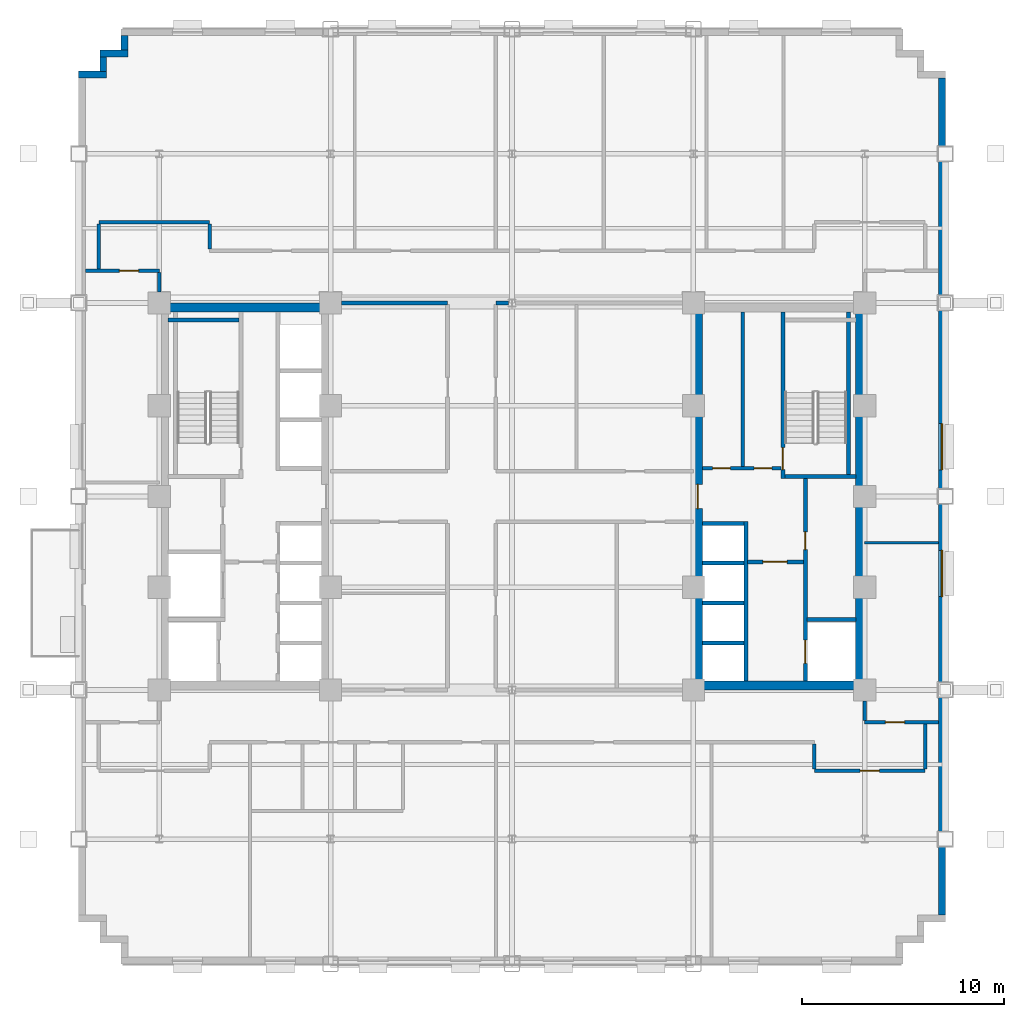
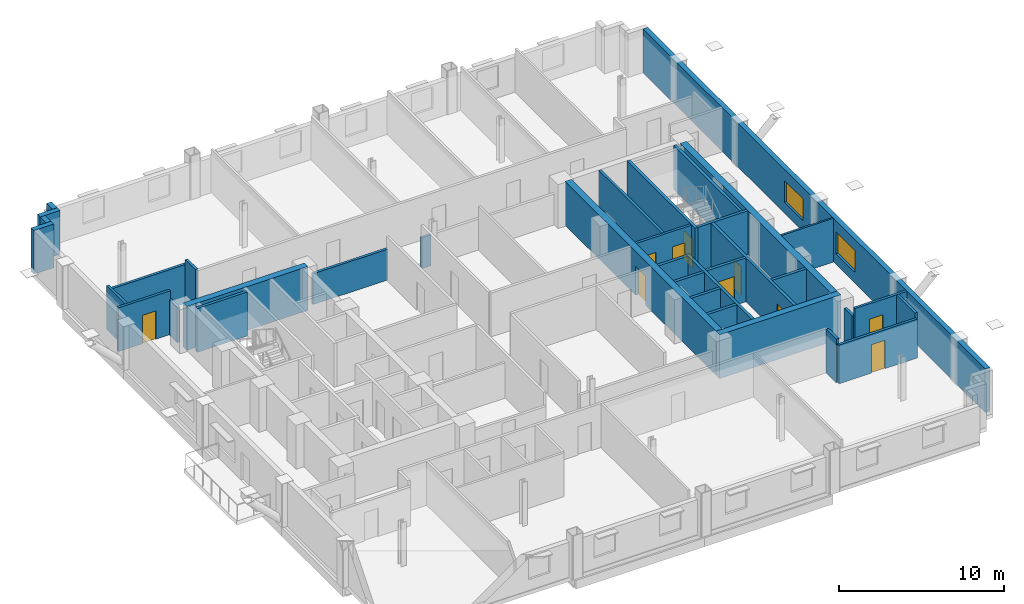
# One storey, part 8 of 13: 36 walls, 10 doors, 2 windows, 12 openings.
"""IFC4 building model written with IfcOpenShell, lengths in metres."""

from ifc_helpers import new_model, si_unit, direction, frame, frame_2d, origin, place, context, subcontext, project, spatial, rectangle, extrude, source, transform, mapped, material, layer, layer_set, type_object, type_shapes, element, fill, save


model = new_model("IFC4")

# Units and contexts
model_context = context("Model", 3, precision=1e-05, world=origin(), true_north=direction((0.0, 1.0)))
body_context = subcontext(model_context, "Body", "Model", "MODEL_VIEW")
ifc_project = project(units=[si_unit("LENGTHUNIT", "METRE"), si_unit("AREAUNIT", "SQUARE_METRE"), si_unit("VOLUMEUNIT", "CUBIC_METRE"), si_unit("PLANEANGLEUNIT", "RADIAN"), si_unit("MASSUNIT", "GRAM", prefix="KILO")], contexts=[model_context])

# Site, building, storey
site_placement = place(None, origin())
site = spatial("IfcSite", under=ifc_project, at=site_placement, CompositionType="ELEMENT")
building_placement = place(site_placement, origin())
building = spatial("IfcBuilding", under=site, at=building_placement, Name="Nuvemarco Arch Tower", CompositionType="ELEMENT")
storey_placement = place(building_placement, frame((0.0, 0.0, 82.35009765625)))
storey = spatial("IfcBuildingStorey", under=building, at=storey_placement, Name="L21", CompositionType="ELEMENT", Elevation=82.35009765625)

# Wall, openings, windows
ifc_material_1 = material(Name="Precast concrete C45/55", Category="concrete")
ifc_layer_1 = layer(ifc_material_1, 0.340087890625, Name="EW-LOW-340")
ifc_layer_set_1 = layer_set([ifc_layer_1], Name="Precast concrete C45/55")
wall_type_1 = type_object("IfcWallType", Name="EW-LOW-340", PredefinedType="STANDARD", material=ifc_layer_set_1)
wall_1_placement = place(storey_placement, frame((21.330078125, -20.763916015625, 0.0), z_axis=(0.0, 0.0, 1.0), x_axis=(0.0, 1.0, 0.0)))
wall_1 = element("IfcWall", 1, at=wall_1_placement, inside=storey, type_object=wall_type_1, Name="L21 exterior precast facade wall 6", PredefinedType="STANDARD", context=body_context, shape_type="SweptSolid", body=[
    extrude(rectangle(XDim=41.52783203125, YDim=0.340087890625, at=frame_2d((20.763916015625, 0.0))), origin(), (0.0, 0.0, 1.0), 3.239990234375),
])
opening_1_placement = place(wall_1_placement, frame((15.79345703125, 0.0, 0.800048828125)))
opening_1 = element("IfcOpeningElement", 2, at=opening_1_placement, cuts=wall_1, Name="Opening WN-10", PredefinedType="OPENING", context=body_context, shape_type="SweptSolid", body=[
    extrude(rectangle(XDim=2.300048828125, YDim=1.6201171875, at=frame_2d((1.14990234375, 0.81005859375))), frame((0.0, 0.179931640625, 0.0), z_axis=(0.0, -1.0, 0.0), x_axis=(1.0, 0.0, 0.0)), (0.0, 0.0, 1.0), 0.360107421875),
])
opening_2_placement = place(wall_1_placement, frame((22.08447265625, 0.0, 0.800048828125)))
opening_2 = element("IfcOpeningElement", 3, at=opening_2_placement, cuts=wall_1, Name="Opening WN-10", PredefinedType="OPENING", context=body_context, shape_type="SweptSolid", body=[
    extrude(rectangle(XDim=2.300048828125, YDim=1.6201171875, at=frame_2d((1.14990234375, 0.81005859375))), frame((0.0, 0.179931640625, 0.0), z_axis=(0.0, -1.0, 0.0), x_axis=(1.0, 0.0, 0.0)), (0.0, 0.0, 1.0), 0.360107421875),
])
ifc_material_2 = material(Name="Insulated solar-control glass", Category="glass")
window_type = type_object("IfcWindowType", Name="WN-STEP-2300x1700", PartitioningType="DOUBLE_PANEL_VERTICAL", PredefinedType="WINDOW", material=ifc_material_2)
shared_shape_1 = source(origin(), body_context, "Body", "SweptSolid", [
    extrude(rectangle(XDim=2.300048828125, YDim=1.6201171875, at=frame_2d((1.14990234375, 0.81005859375))), frame((0.0, 0.030029296875, 0.0), z_axis=(0.0, -1.0, 0.0), x_axis=(1.0, 0.0, 0.0)), (0.0, 0.0, 1.0), 0.06005859375),
])
type_shapes(window_type, [shared_shape_1])
window_1_placement = place(opening_1_placement, origin())
window_1 = element("IfcWindow", 4, at=window_1_placement, inside=storey, type_object=window_type, Name="L21 punched facade window 4", OverallHeight=1.6201171875, OverallWidth=2.300048828125, PartitioningType="SINGLE_PANEL", PredefinedType="WINDOW", context=body_context, shape_type="MappedRepresentation", body=[
    mapped(shared_shape_1, transform((0.0, 0.0, 0.0), scale=1.0)),
])
fill(opening_1, window_1)
window_2_placement = place(opening_2_placement, origin())
window_2 = element("IfcWindow", 5, at=window_2_placement, inside=storey, type_object=window_type, Name="L21 punched facade window 5", OverallHeight=1.6201171875, OverallWidth=2.300048828125, PartitioningType="SINGLE_PANEL", PredefinedType="WINDOW", context=body_context, shape_type="MappedRepresentation", body=[
    mapped(shared_shape_1, transform((0.0, 0.0, 0.0), scale=1.0)),
])
fill(opening_2, window_2)

# Walls
wall_2_placement = place(storey_placement, frame((-19.22998046875, 22.14599609375, 0.0), z_axis=(0.0, 0.0, 1.0), x_axis=(0.0, 1.0, 0.0)))
element("IfcWall", 6, at=wall_2_placement, inside=storey, type_object=wall_type_1, Name="L21 exterior precast facade wall 12", PredefinedType="STANDARD", context=body_context, shape_type="SweptSolid", body=[
    extrude(rectangle(XDim=0.718017578125, YDim=0.340087890625, at=frame_2d((0.35888671875, 0.0))), origin(), (0.0, 0.0, 1.0), 3.239990234375),
])
wall_3_placement = place(storey_placement, frame((-20.449951171875, 21.97998046875, 0.0), z_axis=(0.0, 0.0, 1.0), x_axis=(1.0, 0.0, 0.0)))
element("IfcWall", 7, at=wall_3_placement, inside=storey, type_object=wall_type_1, Name="L21 exterior precast facade wall 13", PredefinedType="STANDARD", context=body_context, shape_type="SweptSolid", body=[
    extrude(rectangle(XDim=1.389892578125, YDim=0.340087890625, at=frame_2d((0.69482421875, 0.0))), origin(), (0.0, 0.0, 1.0), 3.239990234375),
])
wall_4_placement = place(storey_placement, frame((-20.280029296875, 21.095947265625, 0.0), z_axis=(0.0, 0.0, 1.0), x_axis=(0.0, 1.0, 0.0)))
element("IfcWall", 8, at=wall_4_placement, inside=storey, type_object=wall_type_1, Name="L21 exterior precast facade wall 14", PredefinedType="STANDARD", context=body_context, shape_type="SweptSolid", body=[
    extrude(rectangle(XDim=0.718017578125, YDim=0.340087890625, at=frame_2d((0.35888671875, 0.0))), origin(), (0.0, 0.0, 1.0), 3.239990234375),
])
wall_5_placement = place(storey_placement, frame((-21.5, 20.929931640625, 0.0), z_axis=(0.0, 0.0, 1.0), x_axis=(1.0, 0.0, 0.0)))
element("IfcWall", 9, at=wall_5_placement, inside=storey, type_object=wall_type_1, Name="L21 exterior precast facade wall 15", PredefinedType="STANDARD", context=body_context, shape_type="SweptSolid", body=[
    extrude(rectangle(XDim=1.389892578125, YDim=0.340087890625, at=frame_2d((0.69482421875, 0.0))), origin(), (0.0, 0.0, 1.0), 3.239990234375),
])
ifc_material_3 = material(Name="Concrete C60/75", Category="concrete")
ifc_layer_2 = layer(ifc_material_3, 0.449951171875, Name="WL-CORE-450")
ifc_layer_set_2 = layer_set([ifc_layer_2], Name="Concrete C60/75")
wall_type_2 = type_object("IfcWallType", Name="WL-CORE-450", PredefinedType="SHEAR", material=ifc_layer_set_2)
for number, where, z_axis, x_axis, name in (
    (10, (-17.5, 9.375, 0.0), (0.0, 0.0, 1.0), (1.0, 0.0, 0.0), "L21 W-core shear wall N"),
    (11, (9.0, -9.375, 0.0), (0.0, 0.0, 1.0), (1.0, 0.0, 0.0), "L21 E-core shear wall S"),
):
    element("IfcWall", number, at=place(storey_placement, frame(where, z_axis=z_axis, x_axis=x_axis)), inside=storey, type_object=wall_type_2, Name=name, PredefinedType="SHEAR", context=body_context, shape_type="SweptSolid", body=[
        extrude(rectangle(XDim=8.5, YDim=0.449951171875, at=frame_2d((4.25, 0.0))), origin(), (0.0, 0.0, 1.0), 3.25),
    ])

# Wall, opening, door
wall_6_placement = place(storey_placement, frame((9.22509765625, -9.155029296875, 0.0), z_axis=(0.0, 0.0, 1.0), x_axis=(0.0, 1.0, 0.0)))
wall_6 = element("IfcWall", 12, at=wall_6_placement, inside=storey, type_object=wall_type_2, Name="L21 E-core shear wall W", PredefinedType="SHEAR", context=body_context, shape_type="SweptSolid", body=[
    extrude(rectangle(XDim=18.31005859375, YDim=0.449951171875, at=frame_2d((9.155029296875, 0.0))), origin(), (0.0, 0.0, 1.0), 3.25),
])
opening_3_placement = place(wall_6_placement, frame((8.554931640625, 0.0, 0.0)))
opening_3 = element("IfcOpeningElement", 13, at=opening_3_placement, cuts=wall_6, Name="Opening FD-2", PredefinedType="OPENING", context=body_context, shape_type="SweptSolid", body=[
    extrude(rectangle(XDim=1.199951171875, YDim=2.14990234375, at=frame_2d((0.60009765625, 1.074951171875))), frame((0.0, 0.23486328125, 0.0), z_axis=(0.0, -1.0, 0.0), x_axis=(1.0, 0.0, 0.0)), (0.0, 0.0, 1.0), 0.469970703125),
])
ifc_material_4 = material(Name="Anodised steel fire door", Category="steel")
door_type_1 = type_object("IfcDoorType", Name="DR-FFLOB-FD", OperationType="NOTDEFINED", PredefinedType="DOOR", material=ifc_material_4)
shared_shape_2 = source(origin(), body_context, "Body", "SweptSolid", [
    extrude(rectangle(XDim=1.199951171875, YDim=2.14990234375, at=frame_2d((0.60009765625, 1.074951171875))), frame((0.0, 0.02490234375, 0.0), z_axis=(0.0, -1.0, 0.0), x_axis=(1.0, 0.0, 0.0)), (0.0, 0.0, 1.0), 0.050048828125),
])
type_shapes(door_type_1, [shared_shape_2])
door_1_placement = place(opening_3_placement, origin())
door_1 = element("IfcDoor", 14, at=door_1_placement, inside=storey, type_object=door_type_1, Name="L21 door FD-L21-ECORE-W", OperationType="SINGLE_SWING_RIGHT", OverallHeight=2.14990234375, OverallWidth=1.199951171875, PredefinedType="DOOR", context=body_context, shape_type="MappedRepresentation", body=[
    mapped(shared_shape_2, transform((0.0, 0.0, 0.0), scale=1.0)),
])
fill(opening_3, door_1)

# Wall
wall_7_placement = place(storey_placement, frame((17.27490234375, -9.155029296875, 0.0), z_axis=(0.0, 0.0, 1.0), x_axis=(0.0, 1.0, 0.0)))
element("IfcWall", 15, at=wall_7_placement, inside=storey, type_object=wall_type_2, Name="L21 E-core shear wall E", PredefinedType="SHEAR", context=body_context, shape_type="SweptSolid", body=[
    extrude(rectangle(XDim=18.31005859375, YDim=0.449951171875, at=frame_2d((9.155029296875, 0.0))), origin(), (0.0, 0.0, 1.0), 3.25),
])

# Wall, openings, doors
ifc_material_5 = material(Name="Fire-rated gypsum drywall partition")
ifc_layer_3 = layer(ifc_material_5, 0.179931640625, Name="WL-CORR-180")
ifc_layer_set_3 = layer_set([ifc_layer_3], Name="Fire-rated gypsum drywall partition")
wall_type_3 = type_object("IfcWallType", Name="WL-CORR-180", PredefinedType="PARTITIONING", material=ifc_layer_set_3)
wall_8_placement = place(storey_placement, frame((9.445068359375, 1.39990234375, 0.0), z_axis=(0.0, 0.0, 1.0), x_axis=(1.0, 0.0, 0.0)))
wall_8 = element("IfcWall", 16, at=wall_8_placement, inside=storey, type_object=wall_type_3, Name="L21 interior wall IW-L21-EK-S", PredefinedType="PARTITIONING", context=body_context, shape_type="SweptSolid", body=[
    extrude(rectangle(XDim=3.89990234375, YDim=0.179931640625, at=frame_2d((1.949951171875, 0.0))), origin(), (0.0, 0.0, 1.0), 3.239990234375),
])
opening_4_placement = place(wall_8_placement, frame((0.514892578125, 0.0, 0.0)))
opening_4 = element("IfcOpeningElement", 17, at=opening_4_placement, cuts=wall_8, Name="Opening FD-4", PredefinedType="OPENING", context=body_context, shape_type="SweptSolid", body=[
    extrude(rectangle(XDim=0.8798828125, YDim=2.10009765625, at=frame_2d((0.43994140625, 1.050048828125))), frame((0.0, 0.099853515625, 0.0), z_axis=(0.0, -1.0, 0.0), x_axis=(1.0, 0.0, 0.0)), (0.0, 0.0, 1.0), 0.199951171875),
])
opening_5_placement = place(wall_8_placement, frame((2.56494140625, 0.0, 0.0)))
opening_5 = element("IfcOpeningElement", 18, at=opening_5_placement, cuts=wall_8, Name="Opening FD-4", PredefinedType="OPENING", context=body_context, shape_type="SweptSolid", body=[
    extrude(rectangle(XDim=0.8798828125, YDim=2.10009765625, at=frame_2d((0.43994140625, 1.050048828125))), frame((0.0, 0.099853515625, 0.0), z_axis=(0.0, -1.0, 0.0), x_axis=(1.0, 0.0, 0.0)), (0.0, 0.0, 1.0), 0.199951171875),
])
door_type_2 = type_object("IfcDoorType", Name="DR-RISER-FD", OperationType="NOTDEFINED", PredefinedType="DOOR", material=ifc_material_4)
shared_shape_3 = source(origin(), body_context, "Body", "SweptSolid", [
    extrude(rectangle(XDim=0.8798828125, YDim=2.10009765625, at=frame_2d((0.43994140625, 1.050048828125))), frame((0.0, 0.02490234375, 0.0), z_axis=(0.0, -1.0, 0.0), x_axis=(1.0, 0.0, 0.0)), (0.0, 0.0, 1.0), 0.050048828125),
])
type_shapes(door_type_2, [shared_shape_3])
door_2_placement = place(opening_4_placement, origin())
door_2 = element("IfcDoor", 19, at=door_2_placement, inside=storey, type_object=door_type_2, Name="L21 door FD-L21-EK2A", OperationType="SINGLE_SWING_LEFT", OverallHeight=2.10009765625, OverallWidth=0.8798828125, PredefinedType="DOOR", context=body_context, shape_type="MappedRepresentation", body=[
    mapped(shared_shape_3, transform((0.0, 0.0, 0.0), scale=1.0)),
])
fill(opening_4, door_2)
door_3_placement = place(opening_5_placement, origin())
door_3 = element("IfcDoor", 20, at=door_3_placement, inside=storey, type_object=door_type_2, Name="L21 door FD-L21-EK2B", OperationType="SINGLE_SWING_RIGHT", OverallHeight=2.10009765625, OverallWidth=0.8798828125, PredefinedType="DOOR", context=body_context, shape_type="MappedRepresentation", body=[
    mapped(shared_shape_3, transform((0.0, 0.0, 0.0), scale=1.0)),
])
fill(opening_5, door_3)

# Wall
wall_9_placement = place(storey_placement, frame((11.449951171875, 1.489990234375, 0.0), z_axis=(0.0, 0.0, 1.0), x_axis=(0.0, 1.0, 0.0)))
element("IfcWall", 21, at=wall_9_placement, inside=storey, type_object=wall_type_3, Name="L21 interior wall IW-L21-EK2", PredefinedType="PARTITIONING", context=body_context, shape_type="SweptSolid", body=[
    extrude(rectangle(XDim=7.6650390625, YDim=0.179931640625, at=frame_2d((3.83251953125, 0.0))), origin(), (0.0, 0.0, 1.0), 3.239990234375),
])

# Wall, opening, door
wall_10_placement = place(storey_placement, frame((15.0, -13.60009765625, 0.0), z_axis=(0.0, 0.0, 1.0), x_axis=(1.0, 0.0, 0.0)))
wall_10 = element("IfcWall", 22, at=wall_10_placement, inside=storey, type_object=wall_type_3, Name="L21 interior wall IW-L21-003", PredefinedType="PARTITIONING", context=body_context, shape_type="SweptSolid", body=[
    extrude(rectangle(XDim=5.5, YDim=0.179931640625, at=frame_2d((2.75, 0.0))), origin(), (0.0, 0.0, 1.0), 2.8779296875),
])
opening_6_placement = place(wall_10_placement, frame((2.27001953125, 0.0, 0.0)))
opening_6 = element("IfcOpeningElement", 23, at=opening_6_placement, cuts=wall_10, Name="Opening FD-5", PredefinedType="OPENING", context=body_context, shape_type="SweptSolid", body=[
    extrude(rectangle(XDim=0.9599609375, YDim=2.10009765625, at=frame_2d((0.47998046875, 1.050048828125))), frame((0.0, 0.099853515625, 0.0), z_axis=(0.0, -1.0, 0.0), x_axis=(1.0, 0.0, 0.0)), (0.0, 0.0, 1.0), 0.199951171875),
])
ifc_material_6 = material(Name="Timber fire door", Category="wood")
door_type_3 = type_object("IfcDoorType", Name="DR-CORR-FD", OperationType="NOTDEFINED", PredefinedType="DOOR", material=ifc_material_6)
shared_shape_4 = source(origin(), body_context, "Body", "SweptSolid", [
    extrude(rectangle(XDim=0.9599609375, YDim=2.10009765625, at=frame_2d((0.47998046875, 1.050048828125))), frame((0.0, 0.02490234375, 0.0), z_axis=(0.0, -1.0, 0.0), x_axis=(1.0, 0.0, 0.0)), (0.0, 0.0, 1.0), 0.050048828125),
])
type_shapes(door_type_3, [shared_shape_4])
door_4_placement = place(opening_6_placement, origin())
door_4 = element("IfcDoor", 24, at=door_4_placement, inside=storey, type_object=door_type_3, Name="L21 door DR-L21-S_4", OperationType="SINGLE_SWING_RIGHT", OverallHeight=2.10009765625, OverallWidth=0.9599609375, PredefinedType="DOOR", context=body_context, shape_type="MappedRepresentation", body=[
    mapped(shared_shape_4, transform((0.0, 0.0, 0.0), scale=1.0)),
])
fill(opening_6, door_4)

wall_11_placement = place(storey_placement, frame((17.5, -11.199951171875, 0.0), z_axis=(0.0, 0.0, 1.0), x_axis=(1.0, 0.0, 0.0)))
wall_11 = element("IfcWall", 25, at=wall_11_placement, inside=storey, type_object=wall_type_3, Name="L21 interior wall IW-L21-006", PredefinedType="PARTITIONING", context=body_context, shape_type="SweptSolid", body=[
    extrude(rectangle(XDim=3.659912109375, YDim=0.179931640625, at=frame_2d((1.830078125, 0.0))), origin(), (0.0, 0.0, 1.0), 3.239990234375),
])
opening_7_placement = place(wall_11_placement, frame((1.02001953125, 0.0, 0.0)))
opening_7 = element("IfcOpeningElement", 26, at=opening_7_placement, cuts=wall_11, Name="Opening FD-5", PredefinedType="OPENING", context=body_context, shape_type="SweptSolid", body=[
    extrude(rectangle(XDim=0.9599609375, YDim=2.10009765625, at=frame_2d((0.47998046875, 1.050048828125))), frame((0.0, 0.099853515625, 0.0), z_axis=(0.0, -1.0, 0.0), x_axis=(1.0, 0.0, 0.0)), (0.0, 0.0, 1.0), 0.199951171875),
])
door_5_placement = place(opening_7_placement, origin())
door_5 = element("IfcDoor", 27, at=door_5_placement, inside=storey, type_object=door_type_3, Name="L21 door DR-L21-E_1", OperationType="SINGLE_SWING_LEFT", OverallHeight=2.10009765625, OverallWidth=0.9599609375, PredefinedType="DOOR", context=body_context, shape_type="MappedRepresentation", body=[
    mapped(shared_shape_4, transform((0.0, 0.0, 0.0), scale=1.0)),
])
fill(opening_7, door_5)

# Walls
wall_12_placement = place(storey_placement, frame((-8.4541015625, 9.60009765625, 0.0), z_axis=(0.0, 0.0, 1.0), x_axis=(1.0, 0.0, 0.0)))
element("IfcWall", 28, at=wall_12_placement, inside=storey, type_object=wall_type_3, Name="L21 interior wall IW-L21-017", PredefinedType="PARTITIONING", context=body_context, shape_type="SweptSolid", body=[
    extrude(rectangle(XDim=5.254150390625, YDim=0.179931640625, at=frame_2d((2.626953125, 0.0))), origin(), (0.0, 0.0, 1.0), 2.284912109375),
])
wall_13_placement = place(storey_placement, frame((-0.800048828125, 9.60009765625, 0.0), z_axis=(0.0, 0.0, 1.0), x_axis=(1.0, 0.0, 0.0)))
element("IfcWall", 29, at=wall_13_placement, inside=storey, type_object=wall_type_3, Name="L21 interior wall IW-L21-018", PredefinedType="PARTITIONING", context=body_context, shape_type="SweptSolid", body=[
    extrude(rectangle(XDim=0.6240234375, YDim=0.179931640625, at=frame_2d((0.31201171875, 0.0))), origin(), (0.0, 0.0, 1.0), 2.284912109375),
])

# Wall, opening, door
wall_14_placement = place(storey_placement, frame((-21.159912109375, 11.199951171875, 0.0), z_axis=(0.0, 0.0, 1.0), x_axis=(1.0, 0.0, 0.0)))
wall_14 = element("IfcWall", 30, at=wall_14_placement, inside=storey, type_object=wall_type_3, Name="L21 interior wall IW-L21-020", PredefinedType="PARTITIONING", context=body_context, shape_type="SweptSolid", body=[
    extrude(rectangle(XDim=3.659912109375, YDim=0.179931640625, at=frame_2d((1.830078125, 0.0))), origin(), (0.0, 0.0, 1.0), 3.239990234375),
])
opening_8_placement = place(wall_14_placement, frame((1.679931640625, 0.0, 0.0)))
opening_8 = element("IfcOpeningElement", 31, at=opening_8_placement, cuts=wall_14, Name="Opening FD-5", PredefinedType="OPENING", context=body_context, shape_type="SweptSolid", body=[
    extrude(rectangle(XDim=0.9599609375, YDim=2.10009765625, at=frame_2d((0.47998046875, 1.050048828125))), frame((0.0, 0.099853515625, 0.0), z_axis=(0.0, -1.0, 0.0), x_axis=(1.0, 0.0, 0.0)), (0.0, 0.0, 1.0), 0.199951171875),
])
door_6_placement = place(opening_8_placement, origin())
door_6 = element("IfcDoor", 32, at=door_6_placement, inside=storey, type_object=door_type_3, Name="L21 door DR-L21-W_2", OperationType="SINGLE_SWING_RIGHT", OverallHeight=2.10009765625, OverallWidth=0.9599609375, PredefinedType="DOOR", context=body_context, shape_type="MappedRepresentation", body=[
    mapped(shared_shape_4, transform((0.0, 0.0, 0.0), scale=1.0)),
])
fill(opening_8, door_6)

# Walls
wall_15_placement = place(storey_placement, frame((-20.5, 13.60009765625, 0.0), z_axis=(0.0, 0.0, 1.0), x_axis=(1.0, 0.0, 0.0)))
element("IfcWall", 33, at=wall_15_placement, inside=storey, type_object=wall_type_3, Name="L21 interior wall IW-L21-023", PredefinedType="PARTITIONING", context=body_context, shape_type="SweptSolid", body=[
    extrude(rectangle(XDim=5.5, YDim=0.179931640625, at=frame_2d((2.75, 0.0))), origin(), (0.0, 0.0, 1.0), 2.8779296875),
])
wall_16_placement = place(storey_placement, frame((-20.5, 11.285888671875, 0.0), z_axis=(0.0, 0.0, 1.0), x_axis=(0.0, 1.0, 0.0)))
element("IfcWall", 34, at=wall_16_placement, inside=storey, type_object=wall_type_3, Name="L21 interior wall IW-L21-026", PredefinedType="PARTITIONING", context=body_context, shape_type="SweptSolid", body=[
    extrude(rectangle(XDim=2.22802734375, YDim=0.179931640625, at=frame_2d((1.114013671875, 0.0))), origin(), (0.0, 0.0, 1.0), 3.239990234375),
])
wall_17_placement = place(storey_placement, frame((-17.5, 10.14599609375, 0.0), z_axis=(0.0, 0.0, 1.0), x_axis=(0.0, 1.0, 0.0)))
element("IfcWall", 35, at=wall_17_placement, inside=storey, type_object=wall_type_3, Name="L21 interior wall IW-L21-028", PredefinedType="PARTITIONING", context=body_context, shape_type="SweptSolid", body=[
    extrude(rectangle(XDim=0.968017578125, YDim=0.179931640625, at=frame_2d((0.48388671875, 0.0))), origin(), (0.0, 0.0, 1.0), 2.617919921875),
])
for number, where, z_axis, x_axis, name in (
    (36, (-15.0, 12.285888671875, 0.0), (0.0, 0.0, 1.0), (0.0, 1.0, 0.0), "L21 interior wall IW-L21-030"),
    (37, (15.0, -13.513916015625, 0.0), (0.0, 0.0, 1.0), (0.0, 1.0, 0.0), "L21 interior wall IW-L21-048"),
):
    element("IfcWall", number, at=place(storey_placement, frame(where, z_axis=z_axis, x_axis=x_axis)), inside=storey, type_object=wall_type_3, Name=name, PredefinedType="PARTITIONING", context=body_context, shape_type="SweptSolid", body=[
        extrude(rectangle(XDim=1.22802734375, YDim=0.179931640625, at=frame_2d((0.614013671875, 0.0))), origin(), (0.0, 0.0, 1.0), 3.239990234375),
    ])
wall_18_placement = place(storey_placement, frame((17.5, -11.114013671875, 0.0), z_axis=(0.0, 0.0, 1.0), x_axis=(0.0, 1.0, 0.0)))
element("IfcWall", 38, at=wall_18_placement, inside=storey, type_object=wall_type_3, Name="L21 interior wall IW-L21-050", PredefinedType="PARTITIONING", context=body_context, shape_type="SweptSolid", body=[
    extrude(rectangle(XDim=0.968017578125, YDim=0.179931640625, at=frame_2d((0.48388671875, 0.0))), origin(), (0.0, 0.0, 1.0), 2.617919921875),
])
wall_19_placement = place(storey_placement, frame((20.5, -13.513916015625, 0.0), z_axis=(0.0, 0.0, 1.0), x_axis=(0.0, 1.0, 0.0)))
element("IfcWall", 39, at=wall_19_placement, inside=storey, type_object=wall_type_3, Name="L21 interior wall IW-L21-052", PredefinedType="PARTITIONING", context=body_context, shape_type="SweptSolid", body=[
    extrude(rectangle(XDim=2.22802734375, YDim=0.179931640625, at=frame_2d((1.114013671875, 0.0))), origin(), (0.0, 0.0, 1.0), 3.239990234375),
])
ifc_material_7 = material(Name="Glazed acoustic office partition")
ifc_layer_4 = layer(ifc_material_7, 0.1298828125, Name="WL-EXEC-130")
ifc_layer_set_4 = layer_set([ifc_layer_4], Name="Glazed acoustic office partition")
wall_type_4 = type_object("IfcWallType", Name="WL-EXEC-130", PredefinedType="PARTITIONING", material=ifc_layer_set_4)
wall_20_placement = place(storey_placement, frame((17.5, -2.300048828125, 0.0), z_axis=(0.0, 0.0, 1.0), x_axis=(1.0, 0.0, 0.0)))
element("IfcWall", 40, at=wall_20_placement, inside=storey, type_object=wall_type_4, Name="L21 interior wall IW-L21-011", PredefinedType="PARTITIONING", context=body_context, shape_type="SweptSolid", body=[
    extrude(rectangle(XDim=3.659912109375, YDim=0.1298828125, at=frame_2d((1.830078125, 0.0))), origin(), (0.0, 0.0, 1.0), 3.239990234375),
])
ifc_material_8 = material(Name="Concrete C50/60", Category="concrete")
ifc_layer_5 = layer(ifc_material_8, 0.199951171875, Name="WL-SHAFT-220")
ifc_layer_set_5 = layer_set([ifc_layer_5], Name="Concrete C50/60")
wall_type_5 = type_object("IfcWallType", Name="WL-SHAFT-220", PredefinedType="SHEAR", material=ifc_layer_set_5)
wall_21_placement = place(storey_placement, frame((-17.054931640625, 8.75, 0.0), z_axis=(0.0, 0.0, 1.0), x_axis=(1.0, 0.0, 0.0)))
element("IfcWall", 41, at=wall_21_placement, inside=storey, type_object=wall_type_5, Name="L21 structural shaft wall SW-L21-W-ST1N", PredefinedType="SHEAR", context=body_context, shape_type="SweptSolid", body=[
    extrude(rectangle(XDim=3.52001953125, YDim=0.199951171875, at=frame_2d((1.760009765625, 0.0))), origin(), (0.0, 0.0, 1.0), 3.25),
])

# Wall, opening, door
wall_22_placement = place(storey_placement, frame((13.43994140625, 0.89990234375, 0.0), z_axis=(0.0, 0.0, 1.0), x_axis=(0.0, 1.0, 0.0)))
wall_22 = element("IfcWall", 42, at=wall_22_placement, inside=storey, type_object=wall_type_5, Name="L21 structural shaft wall SW-L21-E-ST2W", PredefinedType="SHEAR", context=body_context, shape_type="SweptSolid", body=[
    extrude(rectangle(XDim=8.255126953125, YDim=0.199951171875, at=frame_2d((4.12744140625, 0.0))), origin(), (0.0, 0.0, 1.0), 3.25),
])
opening_9_placement = place(wall_22_placement, frame((0.429931640625, 0.0, 0.0)))
opening_9 = element("IfcOpeningElement", 43, at=opening_9_placement, cuts=wall_22, Name="Opening FD-1", PredefinedType="OPENING", context=body_context, shape_type="SweptSolid", body=[
    extrude(rectangle(XDim=1.10009765625, YDim=2.14990234375, at=frame_2d((0.550048828125, 1.074951171875))), frame((0.0, 0.10986328125, 0.0), z_axis=(0.0, -1.0, 0.0), x_axis=(1.0, 0.0, 0.0)), (0.0, 0.0, 1.0), 0.219970703125),
])
door_type_4 = type_object("IfcDoorType", Name="DR-STAIR-FD", OperationType="NOTDEFINED", PredefinedType="DOOR", material=ifc_material_4)
shared_shape_5 = source(origin(), body_context, "Body", "SweptSolid", [
    extrude(rectangle(XDim=1.10009765625, YDim=2.14990234375, at=frame_2d((0.550048828125, 1.074951171875))), frame((0.0, 0.02490234375, 0.0), z_axis=(0.0, -1.0, 0.0), x_axis=(1.0, 0.0, 0.0)), (0.0, 0.0, 1.0), 0.050048828125),
])
type_shapes(door_type_4, [shared_shape_5])
door_7_placement = place(opening_9_placement, origin())
door_7 = element("IfcDoor", 44, at=door_7_placement, inside=storey, type_object=door_type_4, Name="L21 door FD-L21-ST2", OperationType="SINGLE_SWING_RIGHT", OverallHeight=2.14990234375, OverallWidth=1.10009765625, PredefinedType="DOOR", context=body_context, shape_type="MappedRepresentation", body=[
    mapped(shared_shape_5, transform((0.0, 0.0, 0.0), scale=1.0)),
])
fill(opening_9, door_7)

# Walls
wall_23_placement = place(storey_placement, frame((13.534912109375, 1.0, 0.0), z_axis=(0.0, 0.0, 1.0), x_axis=(1.0, 0.0, 0.0)))
element("IfcWall", 45, at=wall_23_placement, inside=storey, type_object=wall_type_5, Name="L21 structural shaft wall SW-L21-E-ST2S", PredefinedType="SHEAR", context=body_context, shape_type="SweptSolid", body=[
    extrude(rectangle(XDim=3.52001953125, YDim=0.199951171875, at=frame_2d((1.760009765625, 0.0))), origin(), (0.0, 0.0, 1.0), 3.25),
])
wall_24_placement = place(storey_placement, frame((16.699951171875, 1.094970703125, 0.0), z_axis=(0.0, 0.0, 1.0), x_axis=(0.0, 1.0, 0.0)))
element("IfcWall", 46, at=wall_24_placement, inside=storey, type_object=wall_type_5, Name="L21 structural shaft wall SW-L21-E-ST2E", PredefinedType="SHEAR", context=body_context, shape_type="SweptSolid", body=[
    extrude(rectangle(XDim=8.06005859375, YDim=0.199951171875, at=frame_2d((4.030029296875, 0.0))), origin(), (0.0, 0.0, 1.0), 3.25),
])

# Wall, openings, doors
wall_25_placement = place(storey_placement, frame((14.550048828125, -9.155029296875, 0.0), z_axis=(0.0, 0.0, 1.0), x_axis=(0.0, 1.0, 0.0)))
wall_25 = element("IfcWall", 47, at=wall_25_placement, inside=storey, type_object=wall_type_5, Name="L21 structural shaft wall SW-L21-E-SHW", PredefinedType="SHEAR", context=body_context, shape_type="SweptSolid", body=[
    extrude(rectangle(XDim=10.06005859375, YDim=0.199951171875, at=frame_2d((5.030029296875, 0.0))), origin(), (0.0, 0.0, 1.0), 3.25),
])
opening_10_placement = place(wall_25_placement, frame((6.514892578125, 0.0, 0.0)))
opening_10 = element("IfcOpeningElement", 48, at=opening_10_placement, cuts=wall_25, Name="Opening FD-4", PredefinedType="OPENING", context=body_context, shape_type="SweptSolid", body=[
    extrude(rectangle(XDim=0.8798828125, YDim=2.10009765625, at=frame_2d((0.43994140625, 1.050048828125))), frame((0.0, 0.10986328125, 0.0), z_axis=(0.0, -1.0, 0.0), x_axis=(1.0, 0.0, 0.0)), (0.0, 0.0, 1.0), 0.219970703125),
])
opening_11_placement = place(wall_25_placement, frame((0.8798828125, 0.0, 0.0)))
opening_11 = element("IfcOpeningElement", 49, at=opening_11_placement, cuts=wall_25, Name="Opening LD-2", PredefinedType="OPENING", context=body_context, shape_type="SweptSolid", body=[
    extrude(rectangle(XDim=1.14990234375, YDim=2.14990234375, at=frame_2d((0.574951171875, 1.074951171875))), frame((0.0, 0.10986328125, 0.0), z_axis=(0.0, -1.0, 0.0), x_axis=(1.0, 0.0, 0.0)), (0.0, 0.0, 1.0), 0.219970703125),
])
door_8_placement = place(opening_10_placement, origin())
door_8 = element("IfcDoor", 50, at=door_8_placement, inside=storey, type_object=door_type_2, Name="L21 door FD-L21-ERIS", OperationType="SINGLE_SWING_RIGHT", OverallHeight=2.10009765625, OverallWidth=0.8798828125, PredefinedType="DOOR", context=body_context, shape_type="MappedRepresentation", body=[
    mapped(shared_shape_3, transform((0.0, 0.0, 0.0), scale=1.0)),
])
fill(opening_10, door_8)
ifc_material_9 = material(Name="Stainless steel lift door", Category="steel")
door_type_5 = type_object("IfcDoorType", Name="DR-LIFT-FIRE", OperationType="DOUBLE_DOOR_SLIDING", PredefinedType="DOOR", material=ifc_material_9)
shared_shape_6 = source(origin(), body_context, "Body", "SweptSolid", [
    extrude(rectangle(XDim=1.14990234375, YDim=2.14990234375, at=frame_2d((0.574951171875, 1.074951171875))), frame((0.0, 0.02490234375, 0.0), z_axis=(0.0, -1.0, 0.0), x_axis=(1.0, 0.0, 0.0)), (0.0, 0.0, 1.0), 0.050048828125),
])
type_shapes(door_type_5, [shared_shape_6])
door_9_placement = place(opening_11_placement, origin())
door_9 = element("IfcDoor", 51, at=door_9_placement, inside=storey, type_object=door_type_5, Name="L21 Lift landing sliding door FFL-2", OperationType="DOUBLE_DOOR_SLIDING", OverallHeight=2.14990234375, OverallWidth=1.14990234375, PredefinedType="DOOR", context=body_context, shape_type="MappedRepresentation", body=[
    mapped(shared_shape_6, transform((0.0, 0.0, 0.0), scale=1.0)),
])
fill(opening_11, door_9)

# Walls
wall_26_placement = place(storey_placement, frame((14.64501953125, -6.10009765625, 0.0), z_axis=(0.0, 0.0, 1.0), x_axis=(1.0, 0.0, 0.0)))
element("IfcWall", 52, at=wall_26_placement, inside=storey, type_object=wall_type_5, Name="L21 structural shaft wall SW-L21-E-SH1", PredefinedType="SHEAR", context=body_context, shape_type="SweptSolid", body=[
    extrude(rectangle(XDim=2.409912109375, YDim=0.199951171875, at=frame_2d((1.205078125, 0.0))), origin(), (0.0, 0.0, 1.0), 3.25),
])
wall_27_placement = place(storey_placement, frame((11.60009765625, -9.155029296875, 0.0), z_axis=(0.0, 0.0, 1.0), x_axis=(0.0, 1.0, 0.0)))
element("IfcWall", 53, at=wall_27_placement, inside=storey, type_object=wall_type_5, Name="L21 structural shaft wall SW-L21-E-PME", PredefinedType="SHEAR", context=body_context, shape_type="SweptSolid", body=[
    extrude(rectangle(XDim=7.925048828125, YDim=0.199951171875, at=frame_2d((3.96240234375, 0.0))), origin(), (0.0, 0.0, 1.0), 3.25),
])

# Wall, opening, door
wall_28_placement = place(storey_placement, frame((11.695068359375, -3.25, 0.0), z_axis=(0.0, 0.0, 1.0), x_axis=(1.0, 0.0, 0.0)))
wall_28 = element("IfcWall", 54, at=wall_28_placement, inside=storey, type_object=wall_type_5, Name="L21 structural shaft wall SW-L21-E-FFN", PredefinedType="SHEAR", context=body_context, shape_type="SweptSolid", body=[
    extrude(rectangle(XDim=2.760009765625, YDim=0.199951171875, at=frame_2d((1.3798828125, 0.0))), origin(), (0.0, 0.0, 1.0), 3.25),
])
opening_12_placement = place(wall_28_placement, frame((0.7548828125, 0.0, 0.0)))
opening_12 = element("IfcOpeningElement", 55, at=opening_12_placement, cuts=wall_28, Name="Opening FD-2", PredefinedType="OPENING", context=body_context, shape_type="SweptSolid", body=[
    extrude(rectangle(XDim=1.199951171875, YDim=2.14990234375, at=frame_2d((0.60009765625, 1.074951171875))), frame((0.0, 0.10986328125, 0.0), z_axis=(0.0, -1.0, 0.0), x_axis=(1.0, 0.0, 0.0)), (0.0, 0.0, 1.0), 0.219970703125),
])
door_10_placement = place(opening_12_placement, origin())
door_10 = element("IfcDoor", 56, at=door_10_placement, inside=storey, type_object=door_type_1, Name="L21 door FD-L21-EFF2", OperationType="SINGLE_SWING_RIGHT", OverallHeight=2.14990234375, OverallWidth=1.199951171875, PredefinedType="DOOR", context=body_context, shape_type="MappedRepresentation", body=[
    mapped(shared_shape_2, transform((0.0, 0.0, 0.0), scale=1.0)),
])
fill(opening_12, door_10)

# Walls
for number, where, z_axis, x_axis, name in (
    (57, (9.445068359375, -7.27001953125, 0.0), (0.0, 0.0, 1.0), (1.0, 0.0, 0.0), "L21 structural shaft wall SW-L21-E-PMD1"),
    (58, (9.445068359375, -5.2900390625, 0.0), (0.0, 0.0, 1.0), (1.0, 0.0, 0.0), "L21 structural shaft wall SW-L21-E-PMD2"),
    (59, (9.445068359375, -3.31005859375, 0.0), (0.0, 0.0, 1.0), (1.0, 0.0, 0.0), "L21 structural shaft wall SW-L21-E-PMD3"),
    (60, (9.445068359375, -1.330078125, 0.0), (0.0, 0.0, 1.0), (1.0, 0.0, 0.0), "L21 structural shaft wall SW-L21-E-PMD4"),
):
    element("IfcWall", number, at=place(storey_placement, frame(where, z_axis=z_axis, x_axis=x_axis)), inside=storey, type_object=wall_type_5, Name=name, PredefinedType="SHEAR", context=body_context, shape_type="SweptSolid", body=[
        extrude(rectangle(XDim=2.059814453125, YDim=0.199951171875, at=frame_2d((1.02978515625, 0.0))), origin(), (0.0, 0.0, 1.0), 3.25),
    ])

save(model, "model.ifc")
